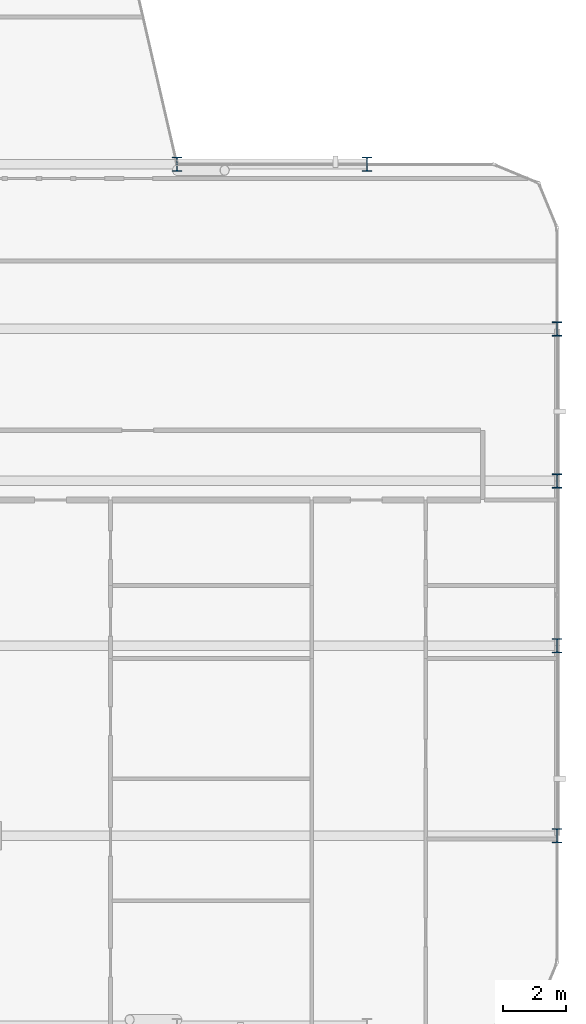
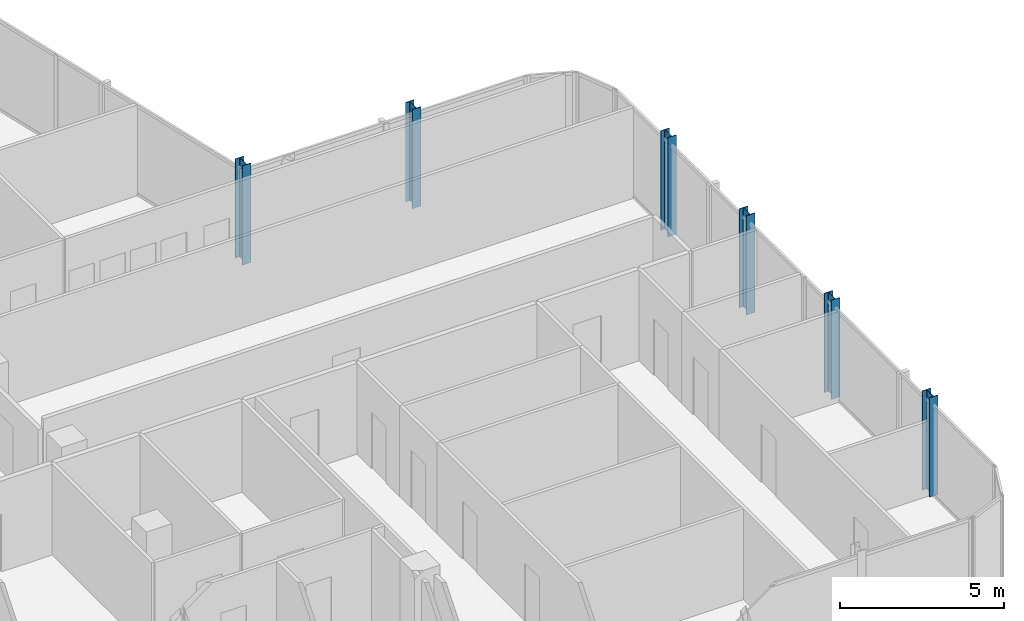
# One storey, part 2 of 29: 6 columns.
"""IFC4 building model written with IfcOpenShell, lengths in metres."""

from ifc_helpers import new_model, si_unit, direction, frame, origin, origin_2d, place, context, subcontext, project, spatial, i_section, extrude, material, material_profile, profile_set, type_object, element, save


model = new_model("IFC4")

# Units and contexts
model_context = context("Model", 3, precision=1e-05, world=origin(), true_north=direction((0.0, 1.0)))
body_context = subcontext(model_context, "Body", "Model", "MODEL_VIEW")
ifc_project = project(units=[si_unit("LENGTHUNIT", "METRE"), si_unit("AREAUNIT", "SQUARE_METRE"), si_unit("VOLUMEUNIT", "CUBIC_METRE"), si_unit("PLANEANGLEUNIT", "RADIAN"), si_unit("MASSUNIT", "GRAM", prefix="KILO")], contexts=[model_context])

# Site, building, storey
site_placement = place(None, origin())
site = spatial("IfcSite", under=ifc_project, at=site_placement, CompositionType="ELEMENT")
building_placement = place(site_placement, origin())
building = spatial("IfcBuilding", under=site, at=building_placement, Name="Keshet Zoharim Tower", CompositionType="ELEMENT")
storey_placement = place(building_placement, frame((0.0, 0.0, 203.199951171875)))
storey = spatial("IfcBuildingStorey", under=building, at=storey_placement, Name="L50", CompositionType="ELEMENT", Elevation=203.199951171875)

# Columns
ifc_material = material(Name="Steel S355", Category="steel")
ifc_material_profile = material_profile(ifc_material, i_section(OverallWidth=0.300048828125, OverallDepth=0.449951171875, WebThickness=0.013916015625, FlangeThickness=0.02587890625, FilletRadius=0.027099609375, at=origin_2d()), Name="HEB450")
ifc_profile_set = profile_set([ifc_material_profile], Name="Steel S355")
column_type = type_object("IfcColumnType", Name="COL-HEB450", PredefinedType="COLUMN", material=ifc_profile_set)
for number, where, z_axis, x_axis, name in (
    (1, (45.0, 27.89990234375, 0.0), (0.0, 0.0, 1.0), (1.0, 0.0, 0.0), "L50 Column 8F"),
    (2, (51.0, 27.89990234375, 0.0), (0.0, 0.0, 1.0), (1.0, 0.0, 0.0), "L50 Column 9F"),
    (3, (57.0, 6.699951171875, 0.0), (0.0, 0.0, 1.0), (1.0, 0.0, 0.0), "L50 Column 10B"),
    (4, (57.0, 12.699951171875, 0.0), (0.0, 0.0, 1.0), (1.0, 0.0, 0.0), "L50 Column 10C"),
    (5, (57.0, 17.89990234375, 0.0), (0.0, 0.0, 1.0), (1.0, 0.0, 0.0), "L50 Column 10D"),
    (6, (57.0, 22.699951171875, 0.0), (0.0, 0.0, 1.0), (1.0, 0.0, 0.0), "L50 Column 10E"),
):
    element("IfcColumn", number, at=place(storey_placement, frame(where, z_axis=z_axis, x_axis=x_axis)), inside=storey, type_object=column_type, Name=name, PredefinedType="COLUMN", context=body_context, shape_type="SweptSolid", body=[
        extrude(i_section(OverallWidth=0.300048828125, OverallDepth=0.449951171875, WebThickness=0.013916015625, FlangeThickness=0.02587890625, FilletRadius=0.027099609375, at=origin_2d()), origin(), (0.0, 0.0, 1.0), 3.699951171875),
    ])

save(model, "model.ifc")
